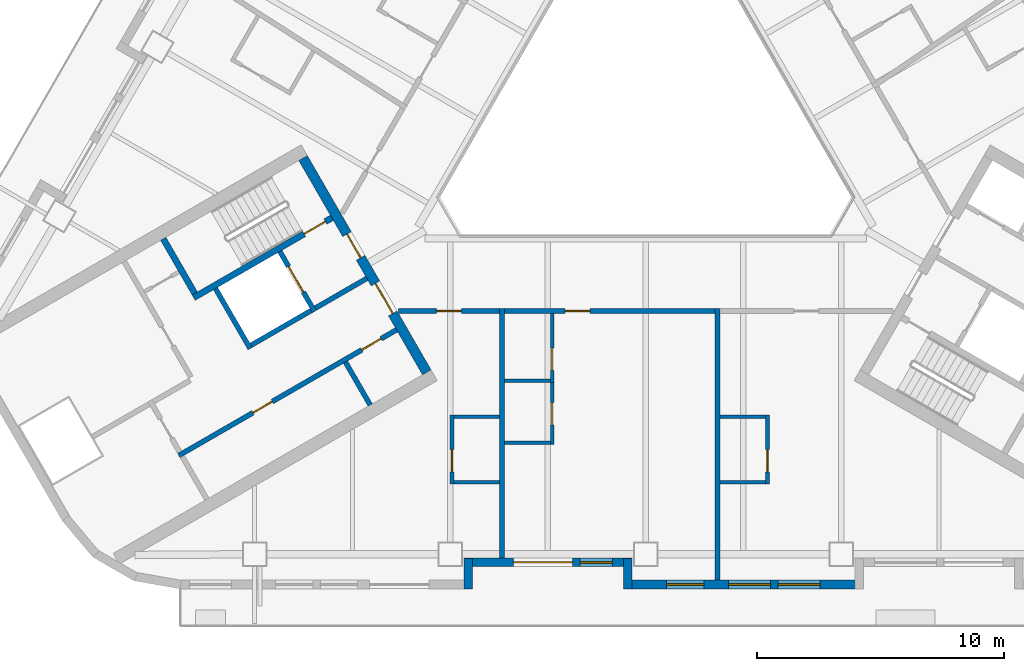
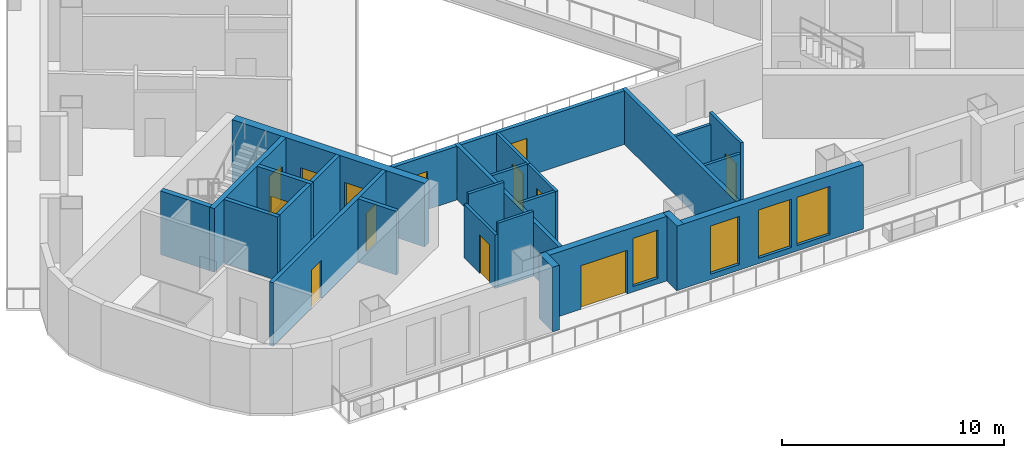
# One storey, part 3 of 13: 27 walls, 13 doors, 4 windows, 17 openings.
"""IFC4 building model written with IfcOpenShell, lengths in metres."""

import ifcopenshell
import ifcopenshell.guid

model = None  # the IFC model being written
_history = None  # IfcOwnerHistory: only IFC2X3 demands one
_inside = {}  # id of a spatial element -> (the spatial element, [elements in it])
_under = {}  # id of a project, library or spatial element -> (it, [spatial elements below it])
_declared = {}  # id of a project -> (the project, [libraries it declares])
_typed = {}  # id of a type object -> (the type object, [elements of that type])
_made_of = {}  # id of a material, layer set ... -> (it, [elements and type objects made of it])


def new_model(schema):
    """Start an empty IFC model of exactly this schema.

    Asked for "IFC4X3", IfcOpenShell would pick the latest addendum, in which some entities
    have other attributes; the version numbers below select the first issue.
    IFC2X3 requires an IfcOwnerHistory on every rooted entity: one is made here for all.
    """
    global model, _history
    if schema == "IFC4X3":
        model = ifcopenshell.file(schema_version=(4, 3, 0, 0))
    else:
        model = ifcopenshell.file(schema=schema)
    _inside.clear()
    _under.clear()
    _declared.clear()
    _typed.clear()
    _made_of.clear()
    _history = None
    if model.schema == "IFC2X3":
        org = make("IfcOrganization", Name="unknown")
        user = make(
            "IfcPersonAndOrganization",
            ThePerson=make("IfcPerson", FamilyName="unknown"),
            TheOrganization=org,
        )
        app = make(
            "IfcApplication",
            ApplicationDeveloper=org,
            Version="unknown",
            ApplicationFullName="unknown",
            ApplicationIdentifier="unknown",
        )
        _history = make(
            "IfcOwnerHistory",
            OwningUser=user,
            OwningApplication=app,
            ChangeAction="ADDED",
            CreationDate=0,
        )
    return model


def make(cls, **values):
    """One entity of the class cls with the attributes given. An attribute that is None is left unset."""
    return model.create_entity(
        cls, **{name: value for name, value in values.items() if value is not None}
    )


def rooted(cls, **values):
    """An entity with a GlobalId (a new one), such as an element, a storey or a relation."""
    return make(cls, GlobalId=ifcopenshell.guid.new(), OwnerHistory=_history, **values)


def si_unit(unit_type, name, prefix=None):
    """IfcSIUnit, for example si_unit("LENGTHUNIT", "METRE", prefix="MILLI")."""
    return make("IfcSIUnit", UnitType=unit_type, Prefix=prefix, Name=name)


def assignment(units):
    """IfcUnitAssignment: the units of a project."""
    return None if units is None else make("IfcUnitAssignment", Units=units)


def point(xyz):
    """IfcCartesianPoint."""
    return None if xyz is None else make("IfcCartesianPoint", Coordinates=xyz)


def direction(xyz):
    """IfcDirection."""
    return None if xyz is None else make("IfcDirection", DirectionRatios=xyz)


def frame(location, z_axis=None, x_axis=None):
    """IfcAxis2Placement3D, a coordinate frame: its origin and axes. An axis left out is left unset."""
    return make(
        "IfcAxis2Placement3D",
        Location=point(location),
        Axis=direction(z_axis),
        RefDirection=direction(x_axis),
    )


def frame_2d(location, x_axis=None):
    """IfcAxis2Placement2D, a coordinate frame in the plane: its origin and x axis."""
    return make(
        "IfcAxis2Placement2D", Location=point(location), RefDirection=direction(x_axis)
    )


def origin():
    """The frame at (0, 0, 0) with its axes left unset."""
    return frame((0.0, 0.0, 0.0))


def place(relative_to, where):
    """IfcLocalPlacement: puts the frame where relative to a parent placement (None: the world)."""
    return make(
        "IfcLocalPlacement", PlacementRelTo=relative_to, RelativePlacement=where
    )


def context(
    kind, dimensions, precision=None, world=None, true_north=None, identifier=None
):
    """IfcGeometricRepresentationContext, for example the 3D "Model" context."""
    return make(
        "IfcGeometricRepresentationContext",
        ContextIdentifier=identifier,
        ContextType=kind,
        CoordinateSpaceDimension=dimensions,
        Precision=precision,
        WorldCoordinateSystem=world,
        TrueNorth=true_north,
    )


def subcontext(parent, identifier, kind, view, scale=None):
    """IfcGeometricRepresentationSubContext, for example "Body" below "Model"."""
    return make(
        "IfcGeometricRepresentationSubContext",
        ContextIdentifier=identifier,
        ContextType=kind,
        ParentContext=parent,
        TargetScale=scale,
        TargetView=view,
    )


def project(units=None, contexts=None):
    """IfcProject with its units and contexts."""
    return rooted(
        "IfcProject",
        Name="project",
        RepresentationContexts=contexts,
        UnitsInContext=assignment(units),
    )


def spatial(cls, under=None, at=None, **own):
    """A site, building, storey or space (cls), placed at a placement, below another one or the project."""
    s = rooted(cls, ObjectPlacement=at, **own)
    if under is not None:
        _under.setdefault(under.id(), (under, []))[1].append(s)
    return s


def profile(cls, at=None, kind="AREA", **sizes):
    """A parametric profile (cls). Its sizes go by their IFC names, for example OverallWidth=200.0."""
    return make(cls, ProfileType=kind, Position=at, **sizes)


def rectangle(**sizes):
    """IfcRectangleProfileDef."""
    return profile("IfcRectangleProfileDef", **sizes)


def extrude(swept, where, along, depth):
    """IfcExtrudedAreaSolid: the profile swept, set in the frame where, extruded along a direction by depth."""
    return make(
        "IfcExtrudedAreaSolid",
        SweptArea=swept,
        Position=where,
        ExtrudedDirection=direction(along),
        Depth=depth,
    )


def shape(context_of_items, identifier, shape_type, items):
    """IfcShapeRepresentation: the items that make up one representation, for example the "Body"."""
    return make(
        "IfcShapeRepresentation",
        ContextOfItems=context_of_items,
        RepresentationIdentifier=identifier,
        RepresentationType=shape_type,
        Items=items,
    )


def material(Name=None, Category=None):
    """IfcMaterial."""
    return make("IfcMaterial", Name=Name, Category=Category)


def layer(
    of_material, thickness, ventilated=None, Name=None, Category=None, Priority=None
):
    """IfcMaterialLayer: one layer of a wall or slab, of a material (None: an air gap)."""
    return make(
        "IfcMaterialLayer",
        Material=of_material,
        LayerThickness=thickness,
        IsVentilated=ventilated,
        Name=Name,
        Category=Category,
        Priority=Priority,
    )


def layer_set(layers, Name=None):
    """IfcMaterialLayerSet."""
    return make("IfcMaterialLayerSet", MaterialLayers=layers, LayerSetName=Name)


def made_of(thing, what):
    """Note that an element or type object is made of a material, layer set ...; save() writes the relation."""
    if what is not None:
        _made_of.setdefault(what.id(), (what, []))[1].append(thing)
    return thing


def type_object(cls, material=None, **own):
    """A type object (cls), such as IfcWallType, which elements share."""
    return made_of(rooted(cls, **own), material)


def element(
    cls,
    number,
    at=None,
    inside=None,
    cuts=None,
    type_object=None,
    material=None,
    context=None,
    identifier="Body",
    shape_type=None,
    held_by="IfcProductDefinitionShape",
    body=None,
    shapes=None,
    **own,
):
    """One element of the class cls, such as IfcWall. Its Tag is "e" and its number.

    at: its placement. inside: the storey or other place that contains it. cuts: it is an
    opening in that element (IfcRelVoidsElement). A single representation is given by context,
    identifier, shape_type and body (its items); several are given by shapes. held_by: the class
    of the entity that holds the representations. save() writes the other relations.
    """
    e = rooted(cls, Tag="e%d" % number, ObjectPlacement=at, **own)
    if body is not None:
        shapes = [shape(context, identifier, shape_type, body)]
    if shapes is not None:
        e.Representation = make(held_by, Representations=shapes)
    if inside is not None:
        _inside.setdefault(inside.id(), (inside, []))[1].append(e)
    if cuts is not None:
        rooted(
            "IfcRelVoidsElement", RelatingBuildingElement=cuts, RelatedOpeningElement=e
        )
    if type_object is not None:
        _typed.setdefault(type_object.id(), (type_object, []))[1].append(e)
    return made_of(e, material)


def fill(opening, filler):
    """IfcRelFillsElement: the door or window that sits in an opening."""
    return rooted(
        "IfcRelFillsElement",
        RelatingOpeningElement=opening,
        RelatedBuildingElement=filler,
    )


def aggregate(whole, parts):
    """IfcRelAggregates: a whole, such as a stair, and the parts it consists of."""
    return rooted("IfcRelAggregates", RelatingObject=whole, RelatedObjects=parts)


def save(model, path):
    """Write the relations noted so far, then the file.

    IfcRelAggregates (storeys below a building ...), IfcRelContainedInSpatialStructure (elements
    in a storey), IfcRelDefinesByType, IfcRelAssociatesMaterial and IfcRelDeclares: one each for
    every whole, place, type object, material and project.
    """
    for whole, parts in _under.values():
        aggregate(whole, parts)
    for where, things in _inside.values():
        rooted(
            "IfcRelContainedInSpatialStructure",
            RelatedElements=things,
            RelatingStructure=where,
        )
    for kind, things in _typed.values():
        rooted("IfcRelDefinesByType", RelatedObjects=things, RelatingType=kind)
    for what, things in _made_of.values():
        rooted("IfcRelAssociatesMaterial", RelatedObjects=things, RelatingMaterial=what)
    for by, libraries in _declared.values():
        rooted("IfcRelDeclares", RelatingContext=by, RelatedDefinitions=libraries)
    model.write(path)


model = new_model("IFC4")

# Units and contexts
model_context = context("Model", 3, precision=1e-05, world=origin(), true_north=direction((0.0, 1.0)))
body_context = subcontext(model_context, "Body", "Model", "MODEL_VIEW")
ifc_project = project(units=[si_unit("LENGTHUNIT", "METRE"), si_unit("AREAUNIT", "SQUARE_METRE"), si_unit("VOLUMEUNIT", "CUBIC_METRE"), si_unit("PLANEANGLEUNIT", "RADIAN"), si_unit("MASSUNIT", "GRAM", prefix="KILO")], contexts=[model_context])

# Site, building, storey
site_placement = place(None, origin())
site = spatial("IfcSite", under=ifc_project, at=site_placement, CompositionType="ELEMENT")
building_placement = place(site_placement, origin())
building = spatial("IfcBuilding", under=site, at=building_placement, Name="Apuvela Tower Hotel", CompositionType="ELEMENT")
storey_placement = place(building_placement, frame((0.0, 0.0, 57.60009765625)))
storey = spatial("IfcBuildingStorey", under=building, at=storey_placement, Name="L11", CompositionType="ELEMENT", Elevation=57.60009765625)

# Wall, openings, doors
ifc_material_1 = material(Name="Concrete C50/60", Category="concrete")
ifc_layer_1 = layer(ifc_material_1, 0.39990234375)
ifc_layer_set_1 = layer_set([ifc_layer_1], Name="COR-WALL-CORE-400")
wall_type_1 = type_object("IfcWallType", Name="COR-WALL-CORE-400", PredefinedType="SHEAR", material=ifc_layer_set_1)
wall_1_placement = place(storey_placement, frame((-13.844970703125, -2.219970703125, 0.0), z_axis=(0.0, 0.0, 1.0), x_axis=(0.500004234368, -0.866022959057, 0.0)))
wall_1 = element("IfcWall", 1, at=wall_1_placement, inside=storey, type_object=wall_type_1, Name="Core wall SW", PredefinedType="SHEAR", context=body_context, shape_type="SweptSolid", body=[
    extrude(rectangle(XDim=10.0, YDim=0.39990234375, at=frame_2d((5.0, 0.0))), origin(), (0.0, 0.0, 1.0), 3.5),
])
opening_1_placement = place(wall_1_placement, frame((3.550048828125, 0.0, 0.0)))
opening_1 = element("IfcOpeningElement", 2, at=opening_1_placement, cuts=wall_1, Name="Opening W-FD", PredefinedType="OPENING", context=body_context, shape_type="SweptSolid", body=[
    extrude(rectangle(XDim=1.10009765625, YDim=2.10009765625, at=frame_2d((0.550048828125, 1.050048828125))), frame((0.0, 0.2099609375, 0.0), z_axis=(0.0, -1.0, 0.0), x_axis=(1.0, 0.0, 0.0)), (0.0, 0.0, 1.0), 0.419921875),
])
opening_2_placement = place(wall_1_placement, frame((5.85009765625, 0.0, 0.0)))
opening_2 = element("IfcOpeningElement", 3, at=opening_2_placement, cuts=wall_1, Name="Opening W-GD", PredefinedType="OPENING", context=body_context, shape_type="SweptSolid", body=[
    extrude(rectangle(XDim=1.39990234375, YDim=2.10009765625, at=frame_2d((0.699951171875, 1.050048828125))), frame((0.0, 0.2099609375, 0.0), z_axis=(0.0, -1.0, 0.0), x_axis=(1.0, 0.0, 0.0)), (0.0, 0.0, 1.0), 0.419921875),
])
ifc_material_2 = material(Name="Steel fire door, powder coated", Category="steel")
door_type_1 = type_object("IfcDoorType", Name="COR-FD-1100", OperationType="NOTDEFINED", PredefinedType="DOOR", material=ifc_material_2)
door_1_placement = place(opening_1_placement, frame((1.10009765625, 0.0, 0.0), z_axis=(0.0, 0.0, 1.0), x_axis=(-1.0, 0.0, 0.0)))
door_1 = element("IfcDoor", 4, at=door_1_placement, inside=storey, type_object=door_type_1, Name="Firefighting lobby door W-FD", OperationType="SINGLE_SWING_LEFT", OverallHeight=2.10009765625, OverallWidth=1.10009765625, PredefinedType="DOOR", context=body_context, shape_type="SweptSolid", body=[
    extrude(rectangle(XDim=1.10009765625, YDim=2.10009765625, at=frame_2d((0.550048828125, 1.050048828125))), frame((0.0, 0.02490234375, 0.0), z_axis=(0.0, -1.0, 0.0), x_axis=(1.0, 0.0, 0.0)), (0.0, 0.0, 1.0), 0.050048828125),
])
fill(opening_1, door_1)
ifc_material_3 = material(Name="Glazed steel fire door", Category="steel")
door_type_2 = type_object("IfcDoorType", Name="COR-GD-1400", OperationType="DOUBLE_DOOR_SINGLE_SWING", PredefinedType="DOOR", material=ifc_material_3)
door_2_placement = place(opening_2_placement, frame((1.39990234375, 0.0, 0.0), z_axis=(0.0, 0.0, 1.0), x_axis=(-1.0, 0.0, 0.0)))
door_2 = element("IfcDoor", 5, at=door_2_placement, inside=storey, type_object=door_type_2, Name="Lift lobby door W-GD", OperationType="DOUBLE_DOOR_SINGLE_SWING", OverallHeight=2.10009765625, OverallWidth=1.39990234375, PredefinedType="DOOR", context=body_context, shape_type="SweptSolid", body=[
    extrude(rectangle(XDim=1.39990234375, YDim=2.10009765625, at=frame_2d((0.699951171875, 1.050048828125))), frame((0.0, 0.02490234375, 0.0), z_axis=(0.0, -1.0, 0.0), x_axis=(1.0, 0.0, 0.0)), (0.0, 0.0, 1.0), 0.050048828125),
])
fill(opening_2, door_2)

# Wall
ifc_layer_2 = layer(ifc_material_1, 0.199951171875)
ifc_layer_set_2 = layer_set([ifc_layer_2], Name="COR-WALL-SHAFT-200")
wall_type_2 = type_object("IfcWallType", Name="COR-WALL-SHAFT-200", PredefinedType="SHEAR", material=ifc_layer_set_2)
wall_2_placement = place(storey_placement, frame((-17.38134765625, -7.49462890625, 0.0), z_axis=(0.0, 0.0, 1.0), x_axis=(0.500011755427, -0.866018616679, 0.0)))
element("IfcWall", 6, at=wall_2_placement, inside=storey, type_object=wall_type_2, Name="Shaft wall SW", PredefinedType="SHEAR", context=body_context, shape_type="SweptSolid", body=[
    extrude(rectangle(XDim=2.80029296875, YDim=0.199951171875, at=frame_2d((1.400146484375, 0.0))), origin(), (0.0, 0.0, 1.0), 3.5),
])

# Wall, opening, door
wall_3_placement = place(storey_placement, frame((-14.783203125, -5.99462890625, 0.0), z_axis=(0.0, 0.0, 1.0), x_axis=(0.49994636267, -0.866056369097, 0.0)))
wall_3 = element("IfcWall", 7, at=wall_3_placement, inside=storey, type_object=wall_type_2, Name="Shaft wall SW", PredefinedType="SHEAR", context=body_context, shape_type="SweptSolid", body=[
    extrude(rectangle(XDim=2.800048828125, YDim=0.199951171875, at=frame_2d((1.39990234375, 0.0))), origin(), (0.0, 0.0, 1.0), 3.5),
])
opening_3_placement = place(wall_3_placement, frame((0.699951171875, 0.0, 0.0)))
opening_3 = element("IfcOpeningElement", 8, at=opening_3_placement, cuts=wall_3, Name="Opening W-LD-FS2", PredefinedType="OPENING", context=body_context, shape_type="SweptSolid", body=[
    extrude(rectangle(XDim=1.199951171875, YDim=2.10009765625, at=frame_2d((0.60009765625, 1.050048828125))), frame((0.0, 0.10986328125, 0.0), z_axis=(0.0, -1.0, 0.0), x_axis=(1.0, 0.0, 0.0)), (0.0, 0.0, 1.0), 0.219970703125),
])
ifc_material_4 = material(Name="Stainless steel lift landing door", Category="steel")
door_type_3 = type_object("IfcDoorType", Name="COR-LD-1200", OperationType="DOUBLE_DOOR_SLIDING", PredefinedType="DOOR", material=ifc_material_4)
door_3_placement = place(opening_3_placement, origin())
door_3 = element("IfcDoor", 9, at=door_3_placement, inside=storey, type_object=door_type_3, Name="Lift landing door W-LD-FS2", OperationType="DOUBLE_DOOR_SLIDING", OverallHeight=2.10009765625, OverallWidth=1.199951171875, PredefinedType="DOOR", context=body_context, shape_type="SweptSolid", body=[
    extrude(rectangle(XDim=1.199951171875, YDim=2.10009765625, at=frame_2d((0.60009765625, 1.050048828125))), frame((0.0, 0.02490234375, 0.0), z_axis=(0.0, -1.0, 0.0), x_axis=(1.0, 0.0, 0.0)), (0.0, 0.0, 1.0), 0.050048828125),
])
fill(opening_3, door_3)

# Walls
wall_4_placement = place(storey_placement, frame((-13.519775390625, -8.383056640625, 0.0), z_axis=(0.0, 0.0, 1.0), x_axis=(-0.866034573852, -0.49998411664, 0.0)))
element("IfcWall", 10, at=wall_4_placement, inside=storey, type_object=wall_type_2, Name="Shaft wall SW", PredefinedType="SHEAR", context=body_context, shape_type="SweptSolid", body=[
    extrude(rectangle(XDim=2.7998046875, YDim=0.199951171875, at=frame_2d((1.39990234375, 0.0))), origin(), (0.0, 0.0, 1.0), 3.5),
])
wall_5_placement = place(storey_placement, frame((-11.26806640625, -7.0830078125, 0.0), z_axis=(0.0, 0.0, 1.0), x_axis=(-0.866050077142, -0.499957262057, 0.0)))
element("IfcWall", 11, at=wall_5_placement, inside=storey, type_object=wall_type_2, Name="Shaft wall SW", PredefinedType="SHEAR", context=body_context, shape_type="SweptSolid", body=[
    extrude(rectangle(XDim=2.400146484375, YDim=0.199951171875, at=frame_2d((1.2001953125, 0.0))), origin(), (0.0, 0.0, 1.0), 3.5),
])

# Wall, openings, doors
wall_6_placement = place(storey_placement, frame((-10.068115234375, -9.16162109375, 0.0), z_axis=(0.0, 0.0, 1.0), x_axis=(-0.866032725843, -0.499987317609, 0.0)))
wall_6 = element("IfcWall", 12, at=wall_6_placement, inside=storey, type_object=wall_type_2, Name="Shaft wall SW", PredefinedType="SHEAR", context=body_context, shape_type="SweptSolid", body=[
    extrude(rectangle(XDim=10.159912109375, YDim=0.199951171875, at=frame_2d((5.080078125, 0.0))), origin(), (0.0, 0.0, 1.0), 3.5),
])
opening_4_placement = place(wall_6_placement, frame((0.719970703125, 0.0, 0.0)))
opening_4 = element("IfcOpeningElement", 13, at=opening_4_placement, cuts=wall_6, Name="Opening W-RE1", PredefinedType="OPENING", context=body_context, shape_type="SweptSolid", body=[
    extrude(rectangle(XDim=0.89990234375, YDim=2.10009765625, at=frame_2d((0.449951171875, 1.050048828125))), frame((0.0, 0.10986328125, 0.0), z_axis=(0.0, -1.0, 0.0), x_axis=(1.0, 0.0, 0.0)), (0.0, 0.0, 1.0), 0.219970703125),
])
opening_5_placement = place(wall_6_placement, frame((5.800048828125, 0.0, 0.0)))
opening_5 = element("IfcOpeningElement", 14, at=opening_5_placement, cuts=wall_6, Name="Opening W-RE2", PredefinedType="OPENING", context=body_context, shape_type="SweptSolid", body=[
    extrude(rectangle(XDim=0.89990234375, YDim=2.10009765625, at=frame_2d((0.449951171875, 1.050048828125))), frame((0.0, 0.10986328125, 0.0), z_axis=(0.0, -1.0, 0.0), x_axis=(1.0, 0.0, 0.0)), (0.0, 0.0, 1.0), 0.219970703125),
])
door_type_4 = type_object("IfcDoorType", Name="COR-DR-900", OperationType="NOTDEFINED", PredefinedType="DOOR", material=ifc_material_2)
door_4_placement = place(opening_4_placement, origin())
door_4 = element("IfcDoor", 15, at=door_4_placement, inside=storey, type_object=door_type_4, Name="Store door W-RE1", OperationType="SINGLE_SWING_LEFT", OverallHeight=2.10009765625, OverallWidth=0.89990234375, PredefinedType="DOOR", context=body_context, shape_type="SweptSolid", body=[
    extrude(rectangle(XDim=0.89990234375, YDim=2.10009765625, at=frame_2d((0.449951171875, 1.050048828125))), frame((0.0, 0.02490234375, 0.0), z_axis=(0.0, -1.0, 0.0), x_axis=(1.0, 0.0, 0.0)), (0.0, 0.0, 1.0), 0.050048828125),
])
fill(opening_4, door_4)
door_5_placement = place(opening_5_placement, origin())
door_5 = element("IfcDoor", 16, at=door_5_placement, inside=storey, type_object=door_type_4, Name="Store door W-RE2", OperationType="SINGLE_SWING_RIGHT", OverallHeight=2.10009765625, OverallWidth=0.89990234375, PredefinedType="DOOR", context=body_context, shape_type="SweptSolid", body=[
    extrude(rectangle(XDim=0.89990234375, YDim=2.10009765625, at=frame_2d((0.449951171875, 1.050048828125))), frame((0.0, 0.02490234375, 0.0), z_axis=(0.0, -1.0, 0.0), x_axis=(1.0, 0.0, 0.0)), (0.0, 0.0, 1.0), 0.050048828125),
])
fill(opening_5, door_5)

# Wall
wall_7_placement = place(storey_placement, frame((-12.131103515625, -10.468017578125, 0.0), z_axis=(0.0, 0.0, 1.0), x_axis=(0.499972520799, -0.866041268327, 0.0)))
element("IfcWall", 17, at=wall_7_placement, inside=storey, type_object=wall_type_2, Name="Shaft wall SW", PredefinedType="SHEAR", context=body_context, shape_type="SweptSolid", body=[
    extrude(rectangle(XDim=2.0, YDim=0.199951171875, at=frame_2d((1.0, 0.0))), origin(), (0.0, 0.0, 1.0), 3.5),
])

# Wall, opening, door
ifc_layer_3 = layer(ifc_material_1, 0.25)
ifc_layer_set_3 = layer_set([ifc_layer_3], Name="COR-WALL-STAIR-250")
wall_type_3 = type_object("IfcWallType", Name="COR-WALL-STAIR-250", PredefinedType="SHEAR", material=ifc_layer_set_3)
wall_8_placement = place(storey_placement, frame((-12.6806640625, -4.636474609375, 0.0), z_axis=(0.0, 0.0, 1.0), x_axis=(-0.866021702275, -0.500006411147, 0.0)))
wall_8 = element("IfcWall", 18, at=wall_8_placement, inside=storey, type_object=wall_type_3, Name="Stair wall SW", PredefinedType="SHEAR", context=body_context, shape_type="SweptSolid", body=[
    extrude(rectangle(XDim=6.4501953125, YDim=0.25, at=frame_2d((3.22509765625, 0.0))), origin(), (0.0, 0.0, 1.0), 3.5),
])
opening_6_placement = place(wall_8_placement, frame((0.300048828125, 0.0, 0.0)))
opening_6 = element("IfcOpeningElement", 19, at=opening_6_placement, cuts=wall_8, Name="Opening W-SD", PredefinedType="OPENING", context=body_context, shape_type="SweptSolid", body=[
    extrude(rectangle(XDim=1.0, YDim=2.10009765625, at=frame_2d((0.5, 1.050048828125))), frame((0.0, 0.135009765625, 0.0), z_axis=(0.0, -1.0, 0.0), x_axis=(1.0, 0.0, 0.0)), (0.0, 0.0, 1.0), 0.27001953125),
])
door_type_5 = type_object("IfcDoorType", Name="COR-SD-1000", OperationType="NOTDEFINED", PredefinedType="DOOR", material=ifc_material_2)
door_6_placement = place(opening_6_placement, frame((1.0, 0.0, 0.0), z_axis=(0.0, 0.0, 1.0), x_axis=(-1.0, 0.0, 0.0)))
door_6 = element("IfcDoor", 20, at=door_6_placement, inside=storey, type_object=door_type_5, Name="Stair door W-SD", OperationType="SINGLE_SWING_LEFT", OverallHeight=2.10009765625, OverallWidth=1.0, PredefinedType="DOOR", context=body_context, shape_type="SweptSolid", body=[
    extrude(rectangle(XDim=1.0, YDim=2.10009765625, at=frame_2d((0.5, 1.050048828125))), frame((0.0, 0.02490234375, 0.0), z_axis=(0.0, -1.0, 0.0), x_axis=(1.0, 0.0, 0.0)), (0.0, 0.0, 1.0), 0.050048828125),
])
fill(opening_6, door_6)

# Walls
wall_9_placement = place(storey_placement, frame((-19.49560546875, -5.482421875, 0.0), z_axis=(0.0, 0.0, 1.0), x_axis=(0.499990435942, -0.866030925526, 0.0)))
element("IfcWall", 21, at=wall_9_placement, inside=storey, type_object=wall_type_3, Name="Stair wall SW", PredefinedType="SHEAR", context=body_context, shape_type="SweptSolid", body=[
    extrude(rectangle(XDim=2.5498046875, YDim=0.25, at=frame_2d((1.27490234375, 0.0))), origin(), (0.0, 0.0, 1.0), 3.5),
])
ifc_material_5 = material(Name="Concrete C40/50, dark pigmented precast panel", Category="concrete")
ifc_layer_4 = layer(ifc_material_5, 0.35009765625)
ifc_layer_set_4 = layer_set([ifc_layer_4], Name="ENV-WALL-350")
wall_type_4 = type_object("IfcWallType", Name="ENV-WALL-350", PredefinedType="SOLIDWALL", material=ifc_layer_set_4)
wall_10_placement = place(storey_placement, frame((-7.175048828125, -19.6298828125, 0.0), z_axis=(0.0, 0.0, 1.0), x_axis=(0.0, 1.0, 0.0)))
element("IfcWall", 22, at=wall_10_placement, inside=storey, type_object=wall_type_4, Name="External wall L11-18", PredefinedType="SOLIDWALL", context=body_context, shape_type="SweptSolid", body=[
    extrude(rectangle(XDim=1.219970703125, YDim=0.35009765625, at=frame_2d((0.60986328125, 0.0))), origin(), (0.0, 0.0, 1.0), 3.5498046875),
])

# Wall, openings, door, window
wall_11_placement = place(storey_placement, frame((-7.320068359375, -18.554931640625, 0.0), z_axis=(0.0, 0.0, 1.0), x_axis=(1.0, 0.0, 0.0)))
wall_11 = element("IfcWall", 23, at=wall_11_placement, inside=storey, type_object=wall_type_4, Name="External wall L11-19", PredefinedType="SOLIDWALL", context=body_context, shape_type="SweptSolid", body=[
    extrude(rectangle(XDim=6.739990234375, YDim=0.35009765625, at=frame_2d((3.3701171875, 0.0))), origin(), (0.0, 0.0, 1.0), 3.5498046875),
])
opening_7_placement = place(wall_11_placement, frame((1.9697265625, 0.0, 0.0)))
opening_7 = element("IfcOpeningElement", 24, at=opening_7_placement, cuts=wall_11, Name="Opening BD24", PredefinedType="OPENING", context=body_context, shape_type="SweptSolid", body=[
    extrude(rectangle(XDim=2.39990234375, YDim=2.39990234375, at=frame_2d((1.199951171875, 1.199951171875))), frame((0.0, 0.18505859375, 0.0), z_axis=(0.0, -1.0, 0.0), x_axis=(1.0, 0.0, 0.0)), (0.0, 0.0, 1.0), 0.3701171875),
])
opening_8_placement = place(wall_11_placement, frame((4.669921875, 0.0, 0.300048828125)))
opening_8 = element("IfcOpeningElement", 25, at=opening_8_placement, cuts=wall_11, Name="Opening WN13", PredefinedType="OPENING", context=body_context, shape_type="SweptSolid", body=[
    extrude(rectangle(XDim=1.300048828125, YDim=2.64990234375, at=frame_2d((0.64990234375, 1.324951171875))), frame((0.0, 0.18505859375, 0.0), z_axis=(0.0, -1.0, 0.0), x_axis=(1.0, 0.0, 0.0)), (0.0, 0.0, 1.0), 0.3701171875),
])
ifc_material_6 = material(Name="Aluminium 6063-T6, dark bronze anodised frame with dark tinted laminated glass", Category="aluminium")
door_type_6 = type_object("IfcDoorType", Name="ENV-DOOR-BALCONY-2400x2400", OperationType="SLIDING_TO_LEFT", PredefinedType="DOOR", material=ifc_material_6)
door_7_placement = place(opening_7_placement, frame((2.39990234375, 0.0, 0.0), z_axis=(0.0, 0.0, 1.0), x_axis=(-1.0, 0.0, 0.0)))
door_7 = element("IfcDoor", 26, at=door_7_placement, inside=storey, type_object=door_type_6, Name="Balcony door BD24", OperationType="SLIDING_TO_LEFT", OverallHeight=2.39990234375, OverallWidth=2.39990234375, PredefinedType="DOOR", context=body_context, shape_type="SweptSolid", body=[
    extrude(rectangle(XDim=2.39990234375, YDim=2.39990234375, at=frame_2d((1.199951171875, 1.199951171875))), frame((0.0, 0.02490234375, 0.0), z_axis=(0.0, -1.0, 0.0), x_axis=(1.0, 0.0, 0.0)), (0.0, 0.0, 1.0), 0.050048828125),
])
fill(opening_7, door_7)
ifc_material_7 = material(Name="Glass, dark tinted laminated insulated glazing unit", Category="glass")
window_type_1 = type_object("IfcWindowType", Name="ENV-WIN-1300x2650", PartitioningType="SINGLE_PANEL", PredefinedType="WINDOW", material=ifc_material_7)
window_1_placement = place(opening_8_placement, origin())
window_1 = element("IfcWindow", 27, at=window_1_placement, inside=storey, type_object=window_type_1, Name="Window WN13", OverallHeight=2.64990234375, OverallWidth=1.300048828125, PartitioningType="SINGLE_PANEL", PredefinedType="WINDOW", context=body_context, shape_type="SweptSolid", body=[
    extrude(rectangle(XDim=1.300048828125, YDim=2.64990234375, at=frame_2d((0.64990234375, 1.324951171875))), frame((0.0, 0.030029296875, 0.0), z_axis=(0.0, -1.0, 0.0), x_axis=(1.0, 0.0, 0.0)), (0.0, 0.0, 1.0), 0.06005859375),
])
fill(opening_8, window_1)

# Wall
wall_12_placement = place(storey_placement, frame((-0.72509765625, -18.409912109375, 0.0), z_axis=(0.0, 0.0, 1.0), x_axis=(0.0, -1.0, 0.0)))
element("IfcWall", 28, at=wall_12_placement, inside=storey, type_object=wall_type_4, Name="External wall L11-20", PredefinedType="SOLIDWALL", context=body_context, shape_type="SweptSolid", body=[
    extrude(rectangle(XDim=1.219970703125, YDim=0.35009765625, at=frame_2d((0.60986328125, 0.0))), origin(), (0.0, 0.0, 1.0), 3.5498046875),
])

# Wall, openings, windows
wall_13_placement = place(storey_placement, frame((-0.89990234375, -19.455078125, 0.0), z_axis=(0.0, 0.0, 1.0), x_axis=(1.0, 0.0, 0.0)))
wall_13 = element("IfcWall", 29, at=wall_13_placement, inside=storey, type_object=wall_type_4, Name="External wall L11-21", PredefinedType="SOLIDWALL", context=body_context, shape_type="SweptSolid", body=[
    extrude(rectangle(XDim=9.699951171875, YDim=0.35009765625, at=frame_2d((4.85009765625, 0.0))), origin(), (0.0, 0.0, 1.0), 3.5498046875),
])
opening_9_placement = place(wall_13_placement, frame((1.75, 0.0, 0.300048828125)))
opening_9 = element("IfcOpeningElement", 30, at=opening_9_placement, cuts=wall_13, Name="Opening WN15", PredefinedType="OPENING", context=body_context, shape_type="SweptSolid", body=[
    extrude(rectangle(XDim=1.5, YDim=2.64990234375, at=frame_2d((0.75, 1.324951171875))), frame((0.0, 0.18505859375, 0.0), z_axis=(0.0, -1.0, 0.0), x_axis=(1.0, 0.0, 0.0)), (0.0, 0.0, 1.0), 0.3701171875),
])
opening_10_placement = place(wall_13_placement, frame((4.25, 0.0, 0.300048828125)))
opening_10 = element("IfcOpeningElement", 31, at=opening_10_placement, cuts=wall_13, Name="Opening WN17", PredefinedType="OPENING", context=body_context, shape_type="SweptSolid", body=[
    extrude(rectangle(XDim=1.699951171875, YDim=2.64990234375, at=frame_2d((0.85009765625, 1.324951171875))), frame((0.0, 0.18505859375, 0.0), z_axis=(0.0, -1.0, 0.0), x_axis=(1.0, 0.0, 0.0)), (0.0, 0.0, 1.0), 0.3701171875),
])
opening_11_placement = place(wall_13_placement, frame((6.25, 0.0, 0.300048828125)))
opening_11 = element("IfcOpeningElement", 32, at=opening_11_placement, cuts=wall_13, Name="Opening WN17", PredefinedType="OPENING", context=body_context, shape_type="SweptSolid", body=[
    extrude(rectangle(XDim=1.699951171875, YDim=2.64990234375, at=frame_2d((0.85009765625, 1.324951171875))), frame((0.0, 0.18505859375, 0.0), z_axis=(0.0, -1.0, 0.0), x_axis=(1.0, 0.0, 0.0)), (0.0, 0.0, 1.0), 0.3701171875),
])
window_type_2 = type_object("IfcWindowType", Name="ENV-WIN-1500x2650", PartitioningType="SINGLE_PANEL", PredefinedType="WINDOW", material=ifc_material_7)
window_2_placement = place(opening_9_placement, origin())
window_2 = element("IfcWindow", 33, at=window_2_placement, inside=storey, type_object=window_type_2, Name="Window WN15", OverallHeight=2.64990234375, OverallWidth=1.5, PartitioningType="SINGLE_PANEL", PredefinedType="WINDOW", context=body_context, shape_type="SweptSolid", body=[
    extrude(rectangle(XDim=1.5, YDim=2.64990234375, at=frame_2d((0.75, 1.324951171875))), frame((0.0, 0.030029296875, 0.0), z_axis=(0.0, -1.0, 0.0), x_axis=(1.0, 0.0, 0.0)), (0.0, 0.0, 1.0), 0.06005859375),
])
fill(opening_9, window_2)
window_type_3 = type_object("IfcWindowType", Name="ENV-WIN-1700x2650", PartitioningType="SINGLE_PANEL", PredefinedType="WINDOW", material=ifc_material_7)
window_3_placement = place(opening_10_placement, origin())
window_3 = element("IfcWindow", 34, at=window_3_placement, inside=storey, type_object=window_type_3, Name="Window WN17", OverallHeight=2.64990234375, OverallWidth=1.699951171875, PartitioningType="SINGLE_PANEL", PredefinedType="WINDOW", context=body_context, shape_type="SweptSolid", body=[
    extrude(rectangle(XDim=1.699951171875, YDim=2.64990234375, at=frame_2d((0.85009765625, 1.324951171875))), frame((0.0, 0.030029296875, 0.0), z_axis=(0.0, -1.0, 0.0), x_axis=(1.0, 0.0, 0.0)), (0.0, 0.0, 1.0), 0.06005859375),
])
fill(opening_10, window_3)
window_4_placement = place(opening_11_placement, origin())
window_4 = element("IfcWindow", 35, at=window_4_placement, inside=storey, type_object=window_type_3, Name="Window WN17", OverallHeight=2.64990234375, OverallWidth=1.699951171875, PartitioningType="SINGLE_PANEL", PredefinedType="WINDOW", context=body_context, shape_type="SweptSolid", body=[
    extrude(rectangle(XDim=1.699951171875, YDim=2.64990234375, at=frame_2d((0.85009765625, 1.324951171875))), frame((0.0, 0.030029296875, 0.0), z_axis=(0.0, -1.0, 0.0), x_axis=(1.0, 0.0, 0.0)), (0.0, 0.0, 1.0), 0.06005859375),
])
fill(opening_11, window_4)

# Walls
ifc_material_8 = material(Name="Gypsum board partition on twin steel stud", Category="steel")
ifc_layer_5 = layer(ifc_material_8, 0.199951171875)
ifc_layer_set_5 = layer_set([ifc_layer_5], Name="GST-PW1")
wall_type_5 = type_object("IfcWallType", Name="GST-PW1", PredefinedType="PARTITIONING", material=ifc_layer_set_5)
wall_14_placement = place(storey_placement, frame((-5.800048828125, -18.3798828125, 0.0), z_axis=(0.0, 0.0, 1.0), x_axis=(0.0, 1.0, 0.0)))
element("IfcWall", 36, at=wall_14_placement, inside=storey, type_object=wall_type_5, Name="L11 partition 01", PredefinedType="PARTITIONING", context=body_context, shape_type="SweptSolid", body=[
    extrude(rectangle(XDim=10.079833984375, YDim=0.199951171875, at=frame_2d((5.0400390625, 0.0))), origin(), (0.0, 0.0, 1.0), 2.9599609375),
])
wall_15_placement = place(storey_placement, frame((2.89990234375, -19.280029296875, 0.0), z_axis=(0.0, 0.0, 1.0), x_axis=(0.0, 1.0, 0.0)))
element("IfcWall", 37, at=wall_15_placement, inside=storey, type_object=wall_type_5, Name="L11 partition 02", PredefinedType="PARTITIONING", context=body_context, shape_type="SweptSolid", body=[
    extrude(rectangle(XDim=10.97998046875, YDim=0.199951171875, at=frame_2d((5.489990234375, 0.0))), origin(), (0.0, 0.0, 1.0), 2.9599609375),
])

# Wall, opening, door
ifc_material_9 = material(Name="Gypsum board corridor wall on twin steel stud, acoustic", Category="steel")
ifc_layer_6 = layer(ifc_material_9, 0.199951171875)
ifc_layer_set_6 = layer_set([ifc_layer_6], Name="GST-PW2")
wall_type_6 = type_object("IfcWallType", Name="GST-PW2", PredefinedType="PARTITIONING", material=ifc_layer_set_6)
wall_16_placement = place(storey_placement, frame((-5.89990234375, -8.39990234375, 0.0), z_axis=(0.0, 0.0, 1.0), x_axis=(-1.0, 0.0, 0.0)))
wall_16 = element("IfcWall", 38, at=wall_16_placement, inside=storey, type_object=wall_type_6, Name="L11 partition 08", PredefinedType="PARTITIONING", context=body_context, shape_type="SweptSolid", body=[
    extrude(rectangle(XDim=4.08837890625, YDim=0.199951171875, at=frame_2d((2.044189453125, 0.0))), origin(), (0.0, 0.0, 1.0), 2.949951171875),
])
opening_12_placement = place(wall_16_placement, frame((1.544189453125, 0.0, 0.0)))
opening_12 = element("IfcOpeningElement", 39, at=opening_12_placement, cuts=wall_16, Name="Opening GD02-02", PredefinedType="OPENING", context=body_context, shape_type="SweptSolid", body=[
    extrude(rectangle(XDim=1.0, YDim=2.10009765625, at=frame_2d((0.5, 1.050048828125))), frame((0.0, 0.10986328125, 0.0), z_axis=(0.0, -1.0, 0.0), x_axis=(1.0, 0.0, 0.0)), (0.0, 0.0, 1.0), 0.219970703125),
])
ifc_material_10 = material(Name="Timber door leaf in steel frame", Category="steel")
door_type_7 = type_object("IfcDoorType", Name="GST-D1", OperationType="NOTDEFINED", PredefinedType="DOOR", material=ifc_material_10)
door_8_placement = place(opening_12_placement, origin())
door_8 = element("IfcDoor", 40, at=door_8_placement, inside=storey, type_object=door_type_7, Name="Door L11-02", OperationType="SINGLE_SWING_LEFT", OverallHeight=2.10009765625, OverallWidth=1.0, PredefinedType="DOOR", context=body_context, shape_type="SweptSolid", body=[
    extrude(rectangle(XDim=1.0, YDim=2.10009765625, at=frame_2d((0.5, 1.050048828125))), frame((0.0, 0.02490234375, 0.0), z_axis=(0.0, -1.0, 0.0), x_axis=(1.0, 0.0, 0.0)), (0.0, 0.0, 1.0), 0.050048828125),
])
fill(opening_12, door_8)

wall_17_placement = place(storey_placement, frame((2.800048828125, -8.39990234375, 0.0), z_axis=(0.0, 0.0, 1.0), x_axis=(-1.0, 0.0, 0.0)))
wall_17 = element("IfcWall", 41, at=wall_17_placement, inside=storey, type_object=wall_type_6, Name="L11 partition 12", PredefinedType="PARTITIONING", context=body_context, shape_type="SweptSolid", body=[
    extrude(rectangle(XDim=8.5, YDim=0.199951171875, at=frame_2d((4.25, 0.0))), origin(), (0.0, 0.0, 1.0), 2.949951171875),
])
opening_13_placement = place(wall_17_placement, frame((5.050048828125, 0.0, 0.0)))
opening_13 = element("IfcOpeningElement", 42, at=opening_13_placement, cuts=wall_17, Name="Opening GD02-05", PredefinedType="OPENING", context=body_context, shape_type="SweptSolid", body=[
    extrude(rectangle(XDim=1.0, YDim=2.10009765625, at=frame_2d((0.5, 1.050048828125))), frame((0.0, 0.10986328125, 0.0), z_axis=(0.0, -1.0, 0.0), x_axis=(1.0, 0.0, 0.0)), (0.0, 0.0, 1.0), 0.219970703125),
])
door_9_placement = place(opening_13_placement, origin())
door_9 = element("IfcDoor", 43, at=door_9_placement, inside=storey, type_object=door_type_7, Name="Door L11-05", OperationType="SINGLE_SWING_LEFT", OverallHeight=2.10009765625, OverallWidth=1.0, PredefinedType="DOOR", context=body_context, shape_type="SweptSolid", body=[
    extrude(rectangle(XDim=1.0, YDim=2.10009765625, at=frame_2d((0.5, 1.050048828125))), frame((0.0, 0.02490234375, 0.0), z_axis=(0.0, -1.0, 0.0), x_axis=(1.0, 0.0, 0.0)), (0.0, 0.0, 1.0), 0.050048828125),
])
fill(opening_13, door_9)

ifc_material_11 = material(Name="Moisture-resistant gypsum board wet wall on steel stud", Category="steel")
ifc_layer_7 = layer(ifc_material_11, 0.14990234375)
ifc_layer_set_7 = layer_set([ifc_layer_7], Name="GST-PW3")
wall_type_7 = type_object("IfcWallType", Name="GST-PW3", PredefinedType="PARTITIONING", material=ifc_layer_set_7)
wall_18_placement = place(storey_placement, frame((-7.824951171875, -12.60009765625, 0.0), z_axis=(0.0, 0.0, 1.0), x_axis=(0.0, -1.0, 0.0)))
wall_18 = element("IfcWall", 44, at=wall_18_placement, inside=storey, type_object=wall_type_7, Name="L11 partition 09", PredefinedType="PARTITIONING", context=body_context, shape_type="SweptSolid", body=[
    extrude(rectangle(XDim=2.7998046875, YDim=0.14990234375, at=frame_2d((1.39990234375, 0.0))), origin(), (0.0, 0.0, 1.0), 2.949951171875),
])
opening_14_placement = place(wall_18_placement, frame((1.39990234375, 0.0, 0.0)))
opening_14 = element("IfcOpeningElement", 45, at=opening_14_placement, cuts=wall_18, Name="Opening GD02-01", PredefinedType="OPENING", context=body_context, shape_type="SweptSolid", body=[
    extrude(rectangle(XDim=0.89990234375, YDim=2.10009765625, at=frame_2d((0.449951171875, 1.050048828125))), frame((0.0, 0.0849609375, 0.0), z_axis=(0.0, -1.0, 0.0), x_axis=(1.0, 0.0, 0.0)), (0.0, 0.0, 1.0), 0.169921875),
])
door_type_8 = type_object("IfcDoorType", Name="GST-D2", OperationType="NOTDEFINED", PredefinedType="DOOR", material=ifc_material_10)
door_10_placement = place(opening_14_placement, origin())
door_10 = element("IfcDoor", 46, at=door_10_placement, inside=storey, type_object=door_type_8, Name="Door L11-01", OperationType="SINGLE_SWING_RIGHT", OverallHeight=2.10009765625, OverallWidth=0.89990234375, PredefinedType="DOOR", context=body_context, shape_type="SweptSolid", body=[
    extrude(rectangle(XDim=0.89990234375, YDim=2.10009765625, at=frame_2d((0.449951171875, 1.050048828125))), frame((0.0, 0.02490234375, 0.0), z_axis=(0.0, -1.0, 0.0), x_axis=(1.0, 0.0, 0.0)), (0.0, 0.0, 1.0), 0.050048828125),
])
fill(opening_14, door_10)

# Walls
for number, where, z_axis, x_axis, name in (
    (47, (-7.75, -15.324951171875, 0.0), (0.0, 0.0, 1.0), (1.0, 0.0, 0.0), "L11 partition 10"),
    (48, (-7.75, -12.675048828125, 0.0), (0.0, 0.0, 1.0), (1.0, 0.0, 0.0), "L11 partition 11"),
):
    element("IfcWall", number, at=place(storey_placement, frame(where, z_axis=z_axis, x_axis=x_axis)), inside=storey, type_object=wall_type_7, Name=name, PredefinedType="PARTITIONING", context=body_context, shape_type="SweptSolid", body=[
        extrude(rectangle(XDim=1.85009765625, YDim=0.14990234375, at=frame_2d((0.925048828125, 0.0))), origin(), (0.0, 0.0, 1.0), 3.5498046875),
    ])

# Wall, opening, door
wall_19_placement = place(storey_placement, frame((-3.77490234375, -11.300048828125, 0.0), z_axis=(0.0, 0.0, 1.0), x_axis=(0.0, 1.0, 0.0)))
wall_19 = element("IfcWall", 49, at=wall_19_placement, inside=storey, type_object=wall_type_7, Name="L11 partition 13", PredefinedType="PARTITIONING", context=body_context, shape_type="SweptSolid", body=[
    extrude(rectangle(XDim=2.800048828125, YDim=0.14990234375, at=frame_2d((1.39990234375, 0.0))), origin(), (0.0, 0.0, 1.0), 2.949951171875),
])
opening_15_placement = place(wall_19_placement, frame((0.5, 0.0, 0.0)))
opening_15 = element("IfcOpeningElement", 50, at=opening_15_placement, cuts=wall_19, Name="Opening GD02-03", PredefinedType="OPENING", context=body_context, shape_type="SweptSolid", body=[
    extrude(rectangle(XDim=0.89990234375, YDim=2.10009765625, at=frame_2d((0.449951171875, 1.050048828125))), frame((0.0, 0.0849609375, 0.0), z_axis=(0.0, -1.0, 0.0), x_axis=(1.0, 0.0, 0.0)), (0.0, 0.0, 1.0), 0.169921875),
])
door_11_placement = place(opening_15_placement, origin())
door_11 = element("IfcDoor", 51, at=door_11_placement, inside=storey, type_object=door_type_8, Name="Door L11-03", OperationType="SINGLE_SWING_LEFT", OverallHeight=2.10009765625, OverallWidth=0.89990234375, PredefinedType="DOOR", context=body_context, shape_type="SweptSolid", body=[
    extrude(rectangle(XDim=0.89990234375, YDim=2.10009765625, at=frame_2d((0.449951171875, 1.050048828125))), frame((0.0, 0.02490234375, 0.0), z_axis=(0.0, -1.0, 0.0), x_axis=(1.0, 0.0, 0.0)), (0.0, 0.0, 1.0), 0.050048828125),
])
fill(opening_15, door_11)

# Wall
wall_20_placement = place(storey_placement, frame((-5.699951171875, -11.22509765625, 0.0), z_axis=(0.0, 0.0, 1.0), x_axis=(1.0, 0.0, 0.0)))
element("IfcWall", 52, at=wall_20_placement, inside=storey, type_object=wall_type_7, Name="L11 partition 14", PredefinedType="PARTITIONING", context=body_context, shape_type="SweptSolid", body=[
    extrude(rectangle(XDim=1.849853515625, YDim=0.14990234375, at=frame_2d((0.9248046875, 0.0))), origin(), (0.0, 0.0, 1.0), 2.949951171875),
])

# Wall, opening, door
wall_21_placement = place(storey_placement, frame((-3.77490234375, -13.800048828125, 0.0), z_axis=(0.0, 0.0, 1.0), x_axis=(0.0, 1.0, 0.0)))
wall_21 = element("IfcWall", 53, at=wall_21_placement, inside=storey, type_object=wall_type_7, Name="L11 partition 15", PredefinedType="PARTITIONING", context=body_context, shape_type="SweptSolid", body=[
    extrude(rectangle(XDim=2.5, YDim=0.14990234375, at=frame_2d((1.25, 0.0))), origin(), (0.0, 0.0, 1.0), 2.949951171875),
])
opening_16_placement = place(wall_21_placement, frame((0.800048828125, 0.0, 0.0)))
opening_16 = element("IfcOpeningElement", 54, at=opening_16_placement, cuts=wall_21, Name="Opening GD02-04", PredefinedType="OPENING", context=body_context, shape_type="SweptSolid", body=[
    extrude(rectangle(XDim=0.89990234375, YDim=2.10009765625, at=frame_2d((0.449951171875, 1.050048828125))), frame((0.0, 0.0849609375, 0.0), z_axis=(0.0, -1.0, 0.0), x_axis=(1.0, 0.0, 0.0)), (0.0, 0.0, 1.0), 0.169921875),
])
door_12_placement = place(opening_16_placement, origin())
door_12 = element("IfcDoor", 55, at=door_12_placement, inside=storey, type_object=door_type_8, Name="Door L11-04", OperationType="SINGLE_SWING_LEFT", OverallHeight=2.10009765625, OverallWidth=0.89990234375, PredefinedType="DOOR", context=body_context, shape_type="SweptSolid", body=[
    extrude(rectangle(XDim=0.89990234375, YDim=2.10009765625, at=frame_2d((0.449951171875, 1.050048828125))), frame((0.0, 0.02490234375, 0.0), z_axis=(0.0, -1.0, 0.0), x_axis=(1.0, 0.0, 0.0)), (0.0, 0.0, 1.0), 0.050048828125),
])
fill(opening_16, door_12)

# Wall
wall_22_placement = place(storey_placement, frame((-5.699951171875, -13.72509765625, 0.0), z_axis=(0.0, 0.0, 1.0), x_axis=(1.0, 0.0, 0.0)))
element("IfcWall", 56, at=wall_22_placement, inside=storey, type_object=wall_type_7, Name="L11 partition 16", PredefinedType="PARTITIONING", context=body_context, shape_type="SweptSolid", body=[
    extrude(rectangle(XDim=1.849853515625, YDim=0.14990234375, at=frame_2d((0.9248046875, 0.0))), origin(), (0.0, 0.0, 1.0), 2.949951171875),
])

# Wall, opening, door
wall_23_placement = place(storey_placement, frame((4.925048828125, -15.39990234375, 0.0), z_axis=(0.0, 0.0, 1.0), x_axis=(0.0, 1.0, 0.0)))
wall_23 = element("IfcWall", 57, at=wall_23_placement, inside=storey, type_object=wall_type_7, Name="L11 partition 18", PredefinedType="PARTITIONING", context=body_context, shape_type="SweptSolid", body=[
    extrude(rectangle(XDim=2.7998046875, YDim=0.14990234375, at=frame_2d((1.39990234375, 0.0))), origin(), (0.0, 0.0, 1.0), 3.5498046875),
])
opening_17_placement = place(wall_23_placement, frame((0.5, 0.0, 0.0)))
opening_17 = element("IfcOpeningElement", 58, at=opening_17_placement, cuts=wall_23, Name="Opening GD02-06", PredefinedType="OPENING", context=body_context, shape_type="SweptSolid", body=[
    extrude(rectangle(XDim=0.89990234375, YDim=2.10009765625, at=frame_2d((0.449951171875, 1.050048828125))), frame((0.0, 0.0849609375, 0.0), z_axis=(0.0, -1.0, 0.0), x_axis=(1.0, 0.0, 0.0)), (0.0, 0.0, 1.0), 0.169921875),
])
door_13_placement = place(opening_17_placement, origin())
door_13 = element("IfcDoor", 59, at=door_13_placement, inside=storey, type_object=door_type_8, Name="Door L11-06", OperationType="SINGLE_SWING_LEFT", OverallHeight=2.10009765625, OverallWidth=0.89990234375, PredefinedType="DOOR", context=body_context, shape_type="SweptSolid", body=[
    extrude(rectangle(XDim=0.89990234375, YDim=2.10009765625, at=frame_2d((0.449951171875, 1.050048828125))), frame((0.0, 0.02490234375, 0.0), z_axis=(0.0, -1.0, 0.0), x_axis=(1.0, 0.0, 0.0)), (0.0, 0.0, 1.0), 0.050048828125),
])
fill(opening_17, door_13)

# Walls
for number, where, z_axis, x_axis, name in (
    (60, (3.0, -15.324951171875, 0.0), (0.0, 0.0, 1.0), (1.0, 0.0, 0.0), "L11 partition 19"),
    (61, (3.0, -12.675048828125, 0.0), (0.0, 0.0, 1.0), (1.0, 0.0, 0.0), "L11 partition 20"),
):
    element("IfcWall", number, at=place(storey_placement, frame(where, z_axis=z_axis, x_axis=x_axis)), inside=storey, type_object=wall_type_7, Name=name, PredefinedType="PARTITIONING", context=body_context, shape_type="SweptSolid", body=[
        extrude(rectangle(XDim=1.85009765625, YDim=0.14990234375, at=frame_2d((0.925048828125, 0.0))), origin(), (0.0, 0.0, 1.0), 2.949951171875),
    ])

save(model, "model.ifc")
